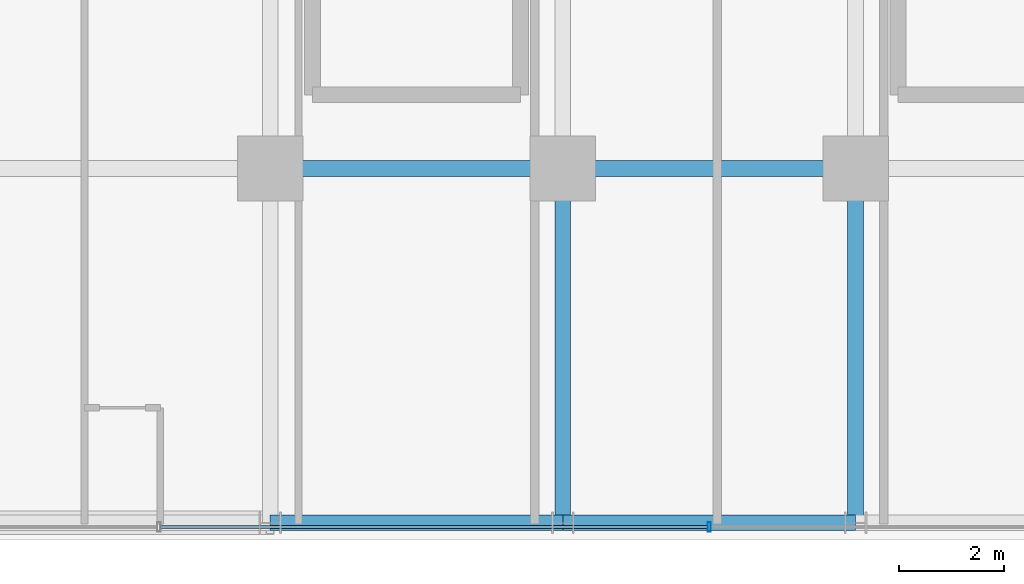
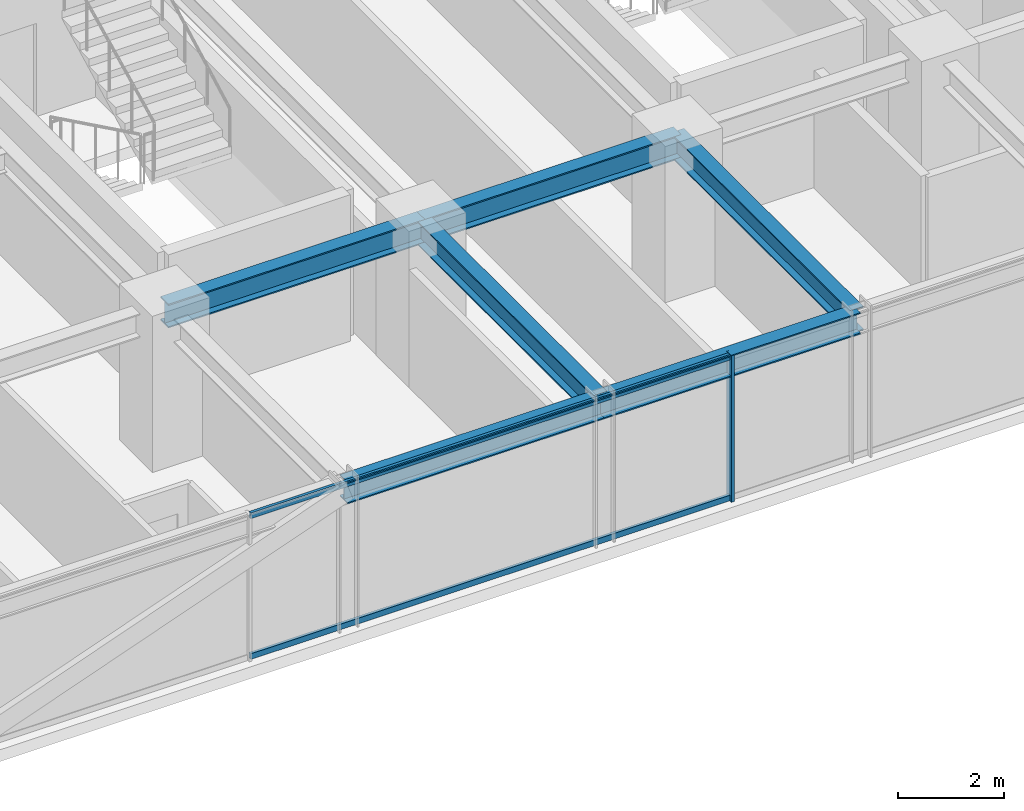
# One storey, part 6 of 39: 6 beams, 3 members, 1 element without a shape of its own.
"""IFC4 building model written with IfcOpenShell, lengths in metres."""

from ifc_helpers import new_model, si_unit, direction, frame, origin, origin_2d, place, context, subcontext, project, spatial, hollow_rectangle, i_section, extrude, source, transform, mapped, material, material_profile, profile_set, type_object, element, aggregate, save


model = new_model("IFC4")

# Units and contexts
model_context = context("Model", 3, precision=1e-05, world=origin(), true_north=direction((0.0, 1.0)))
body_context = subcontext(model_context, "Body", "Model", "MODEL_VIEW")
ifc_project = project(units=[si_unit("LENGTHUNIT", "METRE"), si_unit("AREAUNIT", "SQUARE_METRE"), si_unit("VOLUMEUNIT", "CUBIC_METRE"), si_unit("PLANEANGLEUNIT", "RADIAN"), si_unit("MASSUNIT", "GRAM", prefix="KILO")], contexts=[model_context])

# Site, building, storey
site_placement = place(None, origin())
site = spatial("IfcSite", under=ifc_project, at=site_placement, CompositionType="ELEMENT")
building_placement = place(site_placement, origin())
building = spatial("IfcBuilding", under=site, at=building_placement, Name="Nahalor Promenade Grand Hotel", CompositionType="ELEMENT")
storey_placement = place(building_placement, frame((0.0, 0.0, 135.75)))
storey = spatial("IfcBuildingStorey", under=building, at=storey_placement, Name="L34", CompositionType="ELEMENT", Elevation=135.75)

# Beams
ifc_material_1 = material(Name="Steel S355JR", Category="steel")
ifc_material_profile_1 = material_profile(ifc_material_1, i_section(OverallWidth=0.3, OverallDepth=0.5, WebThickness=0.0145, FlangeThickness=0.028, at=origin_2d()), Name="HEB 500")
ifc_profile_set_1 = profile_set([ifc_material_profile_1], Name="Steel S355JR")
beam_type_1 = type_object("IfcBeamType", Name="Beam-Spandrel-HEB500", PredefinedType="SPANDREL", material=ifc_profile_set_1)
shared_shape_1 = source(origin(), body_context, "Body", "SweptSolid", [
    extrude(i_section(OverallWidth=0.3, OverallDepth=0.5, WebThickness=0.0145, FlangeThickness=0.028, at=origin_2d()), origin(), (0.0, 0.0, 1.0), 5.599853515625),
])
beam_1_placement = place(storey_placement, frame((-8.39990234375, -23.780029296875, 3.1298828125), z_axis=(1.0, 0.0, 0.0), x_axis=(0.0, 1.0, 0.0)))
element("IfcBeam", 1, at=beam_1_placement, inside=storey, type_object=beam_type_1, Name="BM-L34-SP-S-1", PredefinedType="SPANDREL", context=body_context, shape_type="MappedRepresentation", body=[
    mapped(shared_shape_1, transform((0.0, 0.0, 0.0), scale=1.0)),
])
shared_shape_2 = source(origin(), body_context, "Body", "SweptSolid", [
    extrude(i_section(OverallWidth=0.3, OverallDepth=0.5, WebThickness=0.0145, FlangeThickness=0.028, at=origin_2d()), origin(), (0.0, 0.0, 1.0), 5.60009765625),
])
beam_2_placement = place(storey_placement, frame((-2.800048828125, -23.780029296875, 3.1298828125), z_axis=(1.0, 0.0, 0.0), x_axis=(0.0, 1.0, 0.0)))
element("IfcBeam", 2, at=beam_2_placement, inside=storey, type_object=beam_type_1, Name="BM-L34-SP-S-2", PredefinedType="SPANDREL", context=body_context, shape_type="MappedRepresentation", body=[
    mapped(shared_shape_2, transform((0.0, 0.0, 0.0), scale=1.0)),
])
ifc_material_profile_2 = material_profile(ifc_material_1, i_section(OverallWidth=0.3, OverallDepth=0.55, WebThickness=0.015, FlangeThickness=0.029, at=origin_2d()), Name="HEB 550")
ifc_profile_set_2 = profile_set([ifc_material_profile_2], Name="Steel S355JR")
beam_type_2 = type_object("IfcBeamType", Name="Beam-Girder-HEB550", PredefinedType="BEAM", material=ifc_profile_set_2)
shared_shape_3 = source(origin(), body_context, "Body", "SweptSolid", [
    extrude(i_section(OverallWidth=0.3, OverallDepth=0.55, WebThickness=0.015, FlangeThickness=0.029, at=origin_2d()), origin(), (0.0, 0.0, 1.0), 6.780029296875),
])
for number, where, z_axis, x_axis, name in (
    (3, (-2.800048828125, -23.780029296875, 3.10498046875), (0.0, 1.0, 0.0), (-1.0, 0.0, 0.0), "BM-L34-GY-2-0"),
    (4, (2.800048828125, -23.780029296875, 3.10498046875), (0.0, 1.0, 0.0), (-1.0, 0.0, 0.0), "BM-L34-GY-3-0"),
):
    element("IfcBeam", number, at=place(storey_placement, frame(where, z_axis=z_axis, x_axis=x_axis)), inside=storey, type_object=beam_type_2, Name=name, PredefinedType="BEAM", context=body_context, shape_type="MappedRepresentation", body=[
        mapped(shared_shape_3, transform((0.0, 0.0, 0.0), scale=1.0)),
    ])
shared_shape_4 = source(origin(), body_context, "Body", "SweptSolid", [
    extrude(i_section(OverallWidth=0.3, OverallDepth=0.55, WebThickness=0.015, FlangeThickness=0.029, at=origin_2d()), origin(), (0.0, 0.0, 1.0), 5.599853515625),
])
beam_3_placement = place(storey_placement, frame((-8.39990234375, -17.0, 3.10498046875), z_axis=(1.0, 0.0, 0.0), x_axis=(0.0, 1.0, 0.0)))
element("IfcBeam", 5, at=beam_3_placement, inside=storey, type_object=beam_type_2, Name="BM-L34-GX-0-2", PredefinedType="BEAM", context=body_context, shape_type="MappedRepresentation", body=[
    mapped(shared_shape_4, transform((0.0, 0.0, 0.0), scale=1.0)),
])
shared_shape_5 = source(origin(), body_context, "Body", "SweptSolid", [
    extrude(i_section(OverallWidth=0.3, OverallDepth=0.55, WebThickness=0.015, FlangeThickness=0.029, at=origin_2d()), origin(), (0.0, 0.0, 1.0), 5.60009765625),
])
beam_4_placement = place(storey_placement, frame((-2.800048828125, -17.0, 3.10498046875), z_axis=(1.0, 0.0, 0.0), x_axis=(0.0, 1.0, 0.0)))
element("IfcBeam", 6, at=beam_4_placement, inside=storey, type_object=beam_type_2, Name="BM-L34-GX-0-3", PredefinedType="BEAM", context=body_context, shape_type="MappedRepresentation", body=[
    mapped(shared_shape_5, transform((0.0, 0.0, 0.0), scale=1.0)),
])

# Curtain wall, members
ifc_material_2 = material(Name="Anodised Bronze Aluminium EN AW-6063 T6", Category="aluminium")
curtain_wall_type = type_object("IfcCurtainWallType", Name="CW2 Typical Hotel Flush Bronze Unitised Curtain Wall", PredefinedType="USERDEFINED", material=ifc_material_2)
curtain_wall_placement = place(storey_placement, origin())
curtain_wall = element("IfcCurtainWall", 7, at=curtain_wall_placement, inside=storey, type_object=curtain_wall_type, Name="L34 Curtain Wall CW-L34-S-1", ObjectType="UNITISED_CURTAIN_WALL", PredefinedType="USERDEFINED")
ifc_material_profile_3 = material_profile(ifc_material_2, hollow_rectangle(XDim=0.065, YDim=0.18, WallThickness=0.004, at=origin_2d()), Name="CWM 65x180x4")
ifc_profile_set_3 = profile_set([ifc_material_profile_3], Name="Anodised Bronze Aluminium EN AW-6063 T6")
member_type_1 = type_object("IfcMemberType", Name="CWM2 Typical Bronze Mullion 65x180", PredefinedType="MULLION", material=ifc_profile_set_3)
shared_shape_6 = source(origin(), body_context, "Body", "SweptSolid", [
    extrude(hollow_rectangle(XDim=0.065, YDim=0.18, WallThickness=0.004, at=origin_2d()), origin(), (0.0, 0.0, 1.0), 3.3798828125),
])
member_1_placement = place(storey_placement, frame((0.0, -23.860107421875, 0.0), z_axis=(0.0, 0.0, 1.0), x_axis=(1.0, 0.0, 0.0)))
member_1 = element("IfcMember", 8, at=member_1_placement, type_object=member_type_1, Name="CW-L34-S-1 Mullion 2", PredefinedType="MULLION", context=body_context, shape_type="MappedRepresentation", body=[
    mapped(shared_shape_6, transform((0.0, 0.0, 0.0), scale=1.0)),
])
ifc_material_profile_4 = material_profile(ifc_material_2, hollow_rectangle(XDim=0.065, YDim=0.13, WallThickness=0.004, at=origin_2d()), Name="CWT 65x130x4")
ifc_profile_set_4 = profile_set([ifc_material_profile_4], Name="Anodised Bronze Aluminium EN AW-6063 T6")
member_type_2 = type_object("IfcMemberType", Name="CWT2 Typical Bronze Transom 65x130", PredefinedType="USERDEFINED", material=ifc_profile_set_4)
shared_shape_7 = source(origin(), body_context, "Body", "SweptSolid", [
    extrude(hollow_rectangle(XDim=0.065, YDim=0.13, WallThickness=0.004, at=origin_2d()), origin(), (0.0, 0.0, 1.0), 10.465087890625),
])
member_2_placement = place(storey_placement, frame((-10.49755859375, -23.860107421875, 0.06494140625), z_axis=(1.0, 0.0, 0.0), x_axis=(0.0, 1.0, 0.0)))
member_2 = element("IfcMember", 9, at=member_2_placement, type_object=member_type_2, Name="CW-L34-S-1 Transom 1-0", ObjectType="TRANSOM", PredefinedType="USERDEFINED", context=body_context, shape_type="MappedRepresentation", body=[
    mapped(shared_shape_7, transform((0.0, 0.0, 0.0), scale=1.0)),
])
member_3_placement = place(storey_placement, frame((-10.49755859375, -23.860107421875, 3.31494140625), z_axis=(1.0, 0.0, 0.0), x_axis=(0.0, 1.0, 0.0)))
member_3 = element("IfcMember", 10, at=member_3_placement, type_object=member_type_2, Name="CW-L34-S-1 Transom 1-1", ObjectType="TRANSOM", PredefinedType="USERDEFINED", context=body_context, shape_type="MappedRepresentation", body=[
    mapped(shared_shape_7, transform((0.0, 0.0, 0.0), scale=1.0)),
])
aggregate(curtain_wall, [member_1, member_2, member_3])

save(model, "model.ifc")
